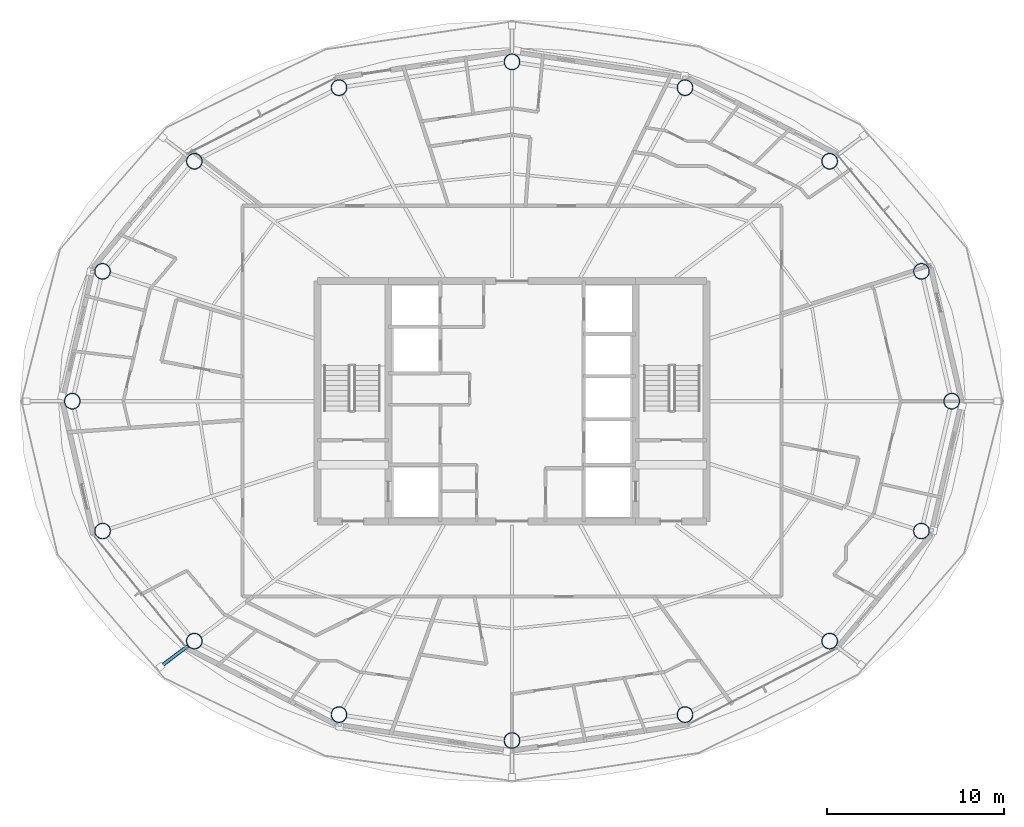
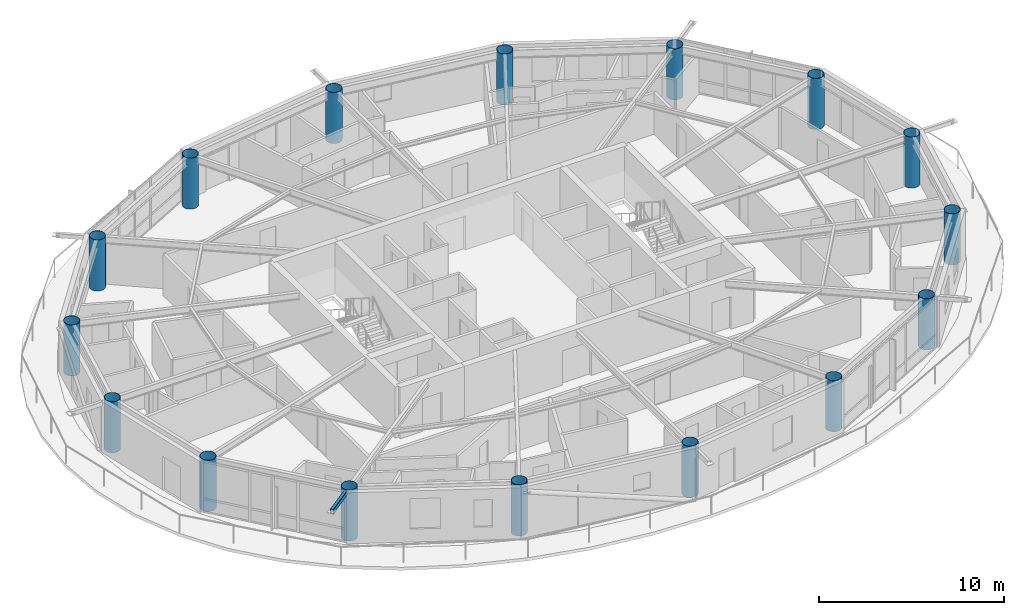
# One storey, part 1 of 23: 16 columns, 1 member.
"""IFC4 building model written with IfcOpenShell, lengths in metres."""

from ifc_helpers import new_model, si_unit, direction, frame, origin, origin_2d, place, context, subcontext, project, spatial, hollow_rectangle, hollow_circle, extrude, material, material_profile, profile_set, type_object, element, save


model = new_model("IFC4")

# Units and contexts
model_context = context("Model", 3, precision=1e-05, world=origin(), true_north=direction((0.0, 1.0)))
body_context = subcontext(model_context, "Body", "Model", "MODEL_VIEW")
ifc_project = project(units=[si_unit("LENGTHUNIT", "METRE"), si_unit("AREAUNIT", "SQUARE_METRE"), si_unit("VOLUMEUNIT", "CUBIC_METRE"), si_unit("PLANEANGLEUNIT", "RADIAN"), si_unit("MASSUNIT", "GRAM", prefix="KILO")], contexts=[model_context])

# Site, building, storey
site_placement = place(None, origin())
site = spatial("IfcSite", under=ifc_project, at=site_placement, CompositionType="ELEMENT")
building_placement = place(site_placement, origin())
building = spatial("IfcBuilding", under=site, at=building_placement, Name="Sarneth Arch Tower", CompositionType="ELEMENT")
storey_placement = place(building_placement, frame((0.0, 0.0, 217.199951171875)))
storey = spatial("IfcBuildingStorey", under=building, at=storey_placement, Name="L55", CompositionType="ELEMENT", Elevation=217.199951171875)

# Columns
ifc_material_1 = material(Name="Steel S355", Category="steel")
ifc_material_profile_1 = material_profile(ifc_material_1, hollow_circle(Radius=0.449951171875, WallThickness=0.02490234375, at=origin_2d()), Name="CHS900x25")
ifc_profile_set_1 = profile_set([ifc_material_profile_1], Name="Steel S355")
column_type = type_object("IfcColumnType", Name="COL-MEGA-900", PredefinedType="COLUMN", material=ifc_profile_set_1)
for number, where, z_axis, x_axis, name in (
    (1, (72.88330078125, 42.0, 0.0), (0.0, 0.0, 1.0), (1.0, 0.0, 0.0), "L55 Perimeter mega-column M01"),
    (2, (71.1689453125, 49.347412109375, 0.0), (0.0, 0.0, 1.0), (1.0, 0.0, 0.0), "L55 Perimeter mega-column M02"),
    (3, (65.975341796875, 55.576416015625, 0.0), (0.0, 0.0, 1.0), (1.0, 0.0, 0.0), "L55 Perimeter mega-column M03"),
    (4, (57.790771484375, 59.738525390625, 0.0), (0.0, 0.0, 1.0), (1.0, 0.0, 0.0), "L55 Perimeter mega-column M04"),
    (5, (48.0, 61.199951171875, 0.0), (0.0, 0.0, 1.0), (1.0, 0.0, 0.0), "L55 Perimeter mega-column M05"),
    (6, (38.209228515625, 59.738525390625, 0.0), (0.0, 0.0, 1.0), (1.0, 0.0, 0.0), "L55 Perimeter mega-column M06"),
    (7, (30.024658203125, 55.576416015625, 0.0), (0.0, 0.0, 1.0), (1.0, 0.0, 0.0), "L55 Perimeter mega-column M07"),
    (8, (24.8310546875, 49.347412109375, 0.0), (0.0, 0.0, 1.0), (1.0, 0.0, 0.0), "L55 Perimeter mega-column M08"),
    (9, (23.11669921875, 42.0, 0.0), (0.0, 0.0, 1.0), (1.0, 0.0, 0.0), "L55 Perimeter mega-column M09"),
    (10, (24.8310546875, 34.652587890625, 0.0), (0.0, 0.0, 1.0), (1.0, 0.0, 0.0), "L55 Perimeter mega-column M10"),
    (11, (30.024658203125, 28.423583984375, 0.0), (0.0, 0.0, 1.0), (1.0, 0.0, 0.0), "L55 Perimeter mega-column M11"),
    (12, (38.209228515625, 24.261474609375, 0.0), (0.0, 0.0, 1.0), (1.0, 0.0, 0.0), "L55 Perimeter mega-column M12"),
    (13, (48.0, 22.800048828125, 0.0), (0.0, 0.0, 1.0), (1.0, 0.0, 0.0), "L55 Perimeter mega-column M13"),
    (14, (57.790771484375, 24.261474609375, 0.0), (0.0, 0.0, 1.0), (1.0, 0.0, 0.0), "L55 Perimeter mega-column M14"),
    (15, (65.975341796875, 28.423583984375, 0.0), (0.0, 0.0, 1.0), (1.0, 0.0, 0.0), "L55 Perimeter mega-column M15"),
    (16, (71.1689453125, 34.652587890625, 0.0), (0.0, 0.0, 1.0), (1.0, 0.0, 0.0), "L55 Perimeter mega-column M16"),
):
    element("IfcColumn", number, at=place(storey_placement, frame(where, z_axis=z_axis, x_axis=x_axis)), inside=storey, type_object=column_type, Name=name, PredefinedType="COLUMN", context=body_context, shape_type="SweptSolid", body=[
        extrude(hollow_circle(Radius=0.449951171875, WallThickness=0.02490234375, at=origin_2d()), origin(), (0.0, 0.0, 1.0), 3.360107421875),
    ])

# Member
ifc_material_2 = material(Name="Steel S355", Category="steel")
ifc_material_profile_2 = material_profile(ifc_material_2, hollow_rectangle(XDim=0.199951171875, YDim=0.300048828125, WallThickness=0.012451171875, InnerFilletRadius=0.018798828125, OuterFilletRadius=0.03125, at=origin_2d()), Name="RHS300x200x12.5")
ifc_profile_set_2 = profile_set([ifc_material_profile_2], Name="Steel S355")
member_type = type_object("IfcMemberType", Name="MEM-CANT-STRUT", PredefinedType="STRUT", material=ifc_profile_set_2)
member_placement = place(storey_placement, frame((29.665771484375, 28.15234375, 3.199951171875), z_axis=(-0.797932555739, -0.602746743244, 0.0), x_axis=(0.602746743244, -0.797932555739, 0.0)))
element("IfcMember", 17, at=member_placement, inside=storey, type_object=member_type, Name="L55 Balcony cantilever bracket 11", PredefinedType="STRUT", context=body_context, shape_type="SweptSolid", body=[
    extrude(hollow_rectangle(XDim=0.199951171875, YDim=0.300048828125, WallThickness=0.012451171875, InnerFilletRadius=0.018798828125, OuterFilletRadius=0.03125, at=origin_2d()), origin(), (0.0, 0.0, 1.0), 1.9599609375),
])

save(model, "model.ifc")
